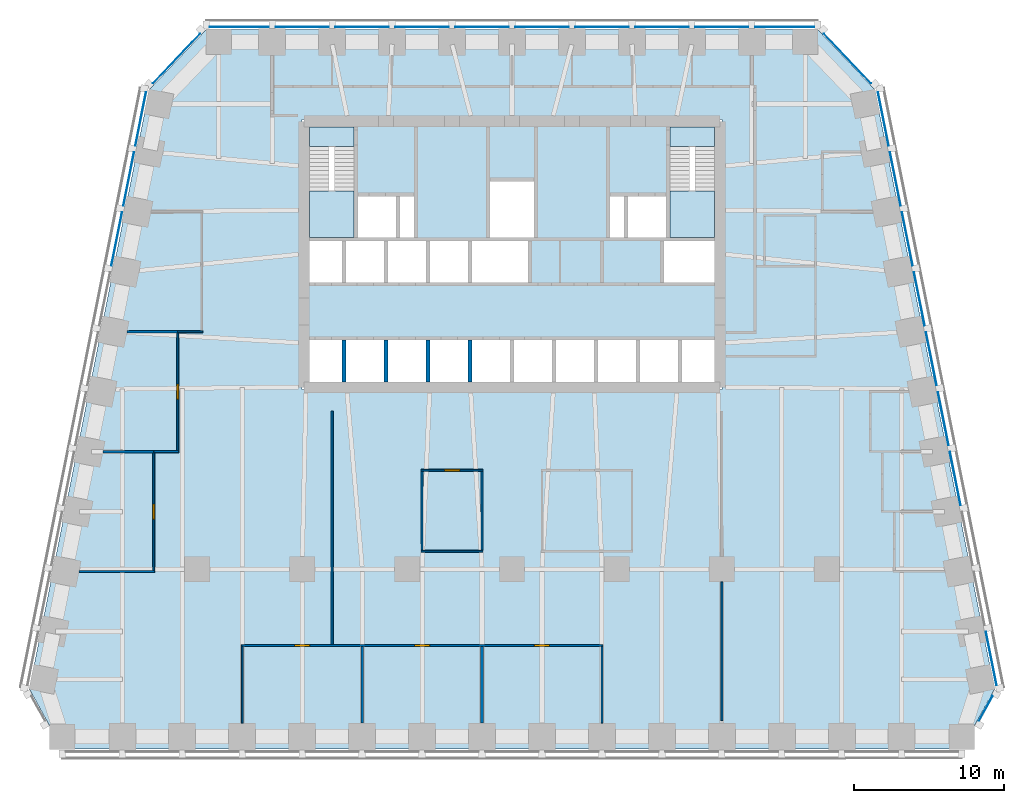
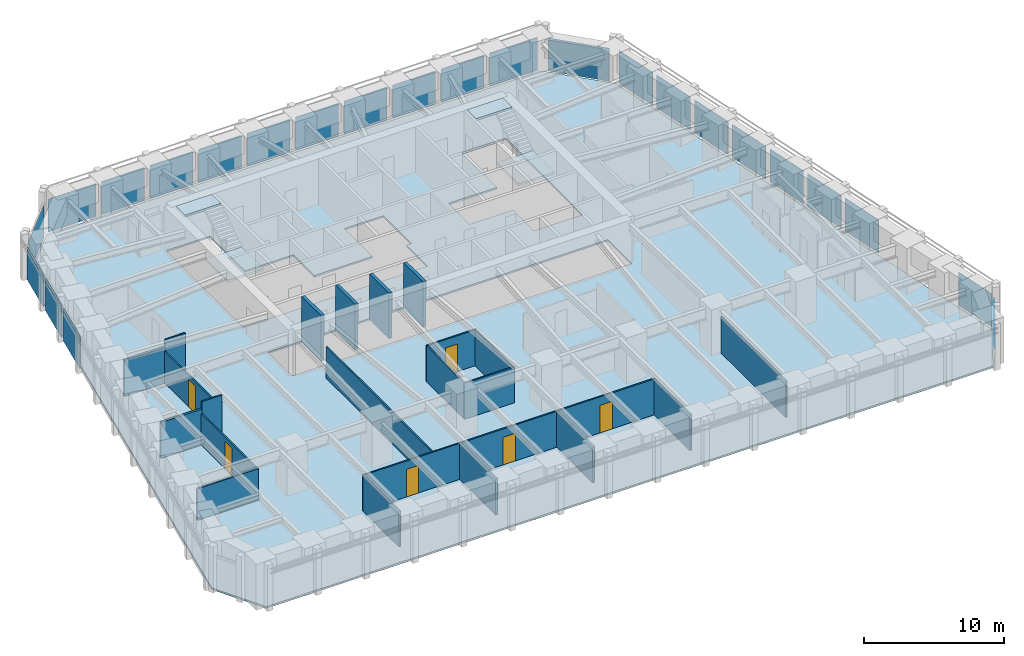
# One storey, part 5 of 10: 24 plates, 22 walls, 6 doors, 5 slabs, 6 openings, 8 elements without a shape of their own.
"""IFC4 building model written with IfcOpenShell, lengths in metres."""

from ifc_helpers import new_model, si_unit, direction, frame, frame_2d, origin, origin_2d, place, context, subcontext, project, spatial, polyline, rectangle, outline, extrude, material, layer, layer_set, type_object, element, fill, aggregate, save


model = new_model("IFC4")

# Units and contexts
model_context = context("Model", 3, precision=1e-05, world=origin(), true_north=direction((0.0, 1.0)))
body_context = subcontext(model_context, "Body", "Model", "MODEL_VIEW")
ifc_project = project(units=[si_unit("LENGTHUNIT", "METRE"), si_unit("AREAUNIT", "SQUARE_METRE"), si_unit("VOLUMEUNIT", "CUBIC_METRE"), si_unit("PLANEANGLEUNIT", "RADIAN"), si_unit("MASSUNIT", "GRAM", prefix="KILO")], contexts=[model_context])

# Site, building, storey
site_placement = place(None, origin())
site = spatial("IfcSite", under=ifc_project, at=site_placement, CompositionType="ELEMENT")
building_placement = place(site_placement, origin())
building = spatial("IfcBuilding", under=site, at=building_placement, Name="Isbrekke Arena Tower", CompositionType="ELEMENT")
storey_placement = place(building_placement, frame((0.0, 0.0, 163.0)))
storey = spatial("IfcBuildingStorey", under=building, at=storey_placement, Name="L37", CompositionType="ELEMENT", Elevation=163.0)

# Curtain wall, plate
ifc_material_1 = material(Name="Glazed aluminium curtain wall", Category="aluminium")
curtain_wall_type = type_object("IfcCurtainWallType", Name="CWM TOWER CURTAIN WALL MID ZONE", PredefinedType="USERDEFINED", material=ifc_material_1)
curtain_wall_1_placement = place(storey_placement, origin())
curtain_wall_1 = element("IfcCurtainWall", 1, at=curtain_wall_1_placement, inside=storey, type_object=curtain_wall_type, Name="CWM curtain wall L37-SE", ObjectType="TOWER CURTAIN WALL MID ZONE", PredefinedType="USERDEFINED")
ifc_material_2 = material(Name="Triple-glazed clear glass unit", Category="glass")
ifc_layer_1 = layer(ifc_material_2, 0.031982421875)
ifc_layer_set_1 = layer_set([ifc_layer_1], Name="CWM-P VISION PANEL")
plate_type = type_object("IfcPlateType", Name="CWM-P VISION PANEL", PredefinedType="CURTAIN_PANEL", material=ifc_layer_set_1)
plate_1_placement = place(storey_placement, frame((31.604248046875, -15.29052734375, 0.02001953125), z_axis=(0.0, 0.0, 1.0), x_axis=(0.481918749773, 0.876215908676, 0.0)))
plate_1 = element("IfcPlate", 2, at=plate_1_placement, type_object=plate_type, Name="CWM-P panel 1", PredefinedType="CURTAIN_PANEL", context=body_context, shape_type="SweptSolid", body=[
    extrude(rectangle(XDim=1.876220703125, YDim=0.031982421875, at=origin_2d()), origin(), (0.0, 0.0, 1.0), 2.8798828125),
])
aggregate(curtain_wall_1, [plate_1])

# Curtain wall, plates
curtain_wall_2_placement = place(storey_placement, origin())
curtain_wall_2 = element("IfcCurtainWall", 3, at=curtain_wall_2_placement, inside=storey, type_object=curtain_wall_type, Name="CWM curtain wall L37-E", ObjectType="TOWER CURTAIN WALL MID ZONE", PredefinedType="USERDEFINED")
plate_2_placement = place(storey_placement, frame((31.9716796875, -11.965576171875, 0.02001953125), z_axis=(0.0, 0.0, 1.0), x_axis=(-0.196116135138, 0.980580675691, 0.0)))
plate_2 = element("IfcPlate", 4, at=plate_2_placement, type_object=plate_type, Name="CWM-P panel 1", PredefinedType="CURTAIN_PANEL", context=body_context, shape_type="SweptSolid", body=[
    extrude(rectangle(XDim=3.629150390625, YDim=0.031982421875, at=origin_2d()), origin(), (0.0, 0.0, 1.0), 2.8798828125),
])
plate_3_placement = place(storey_placement, frame((29.571533203125, 0.034423828125, 0.02001953125), z_axis=(0.0, 0.0, 1.0), x_axis=(-0.196116135138, 0.980580675691, 0.0)))
plate_3 = element("IfcPlate", 5, at=plate_3_placement, type_object=plate_type, Name="CWM-P panel 4", PredefinedType="CURTAIN_PANEL", context=body_context, shape_type="SweptSolid", body=[
    extrude(rectangle(XDim=3.629150390625, YDim=0.031982421875, at=origin_2d()), origin(), (0.0, 0.0, 1.0), 2.8798828125),
])
plate_4_placement = place(storey_placement, frame((28.771484375, 4.034423828125, 0.02001953125), z_axis=(0.0, 0.0, 1.0), x_axis=(-0.196116135138, 0.980580675691, 0.0)))
plate_4 = element("IfcPlate", 6, at=plate_4_placement, type_object=plate_type, Name="CWM-P panel 5", PredefinedType="CURTAIN_PANEL", context=body_context, shape_type="SweptSolid", body=[
    extrude(rectangle(XDim=3.629150390625, YDim=0.031982421875, at=origin_2d()), origin(), (0.0, 0.0, 1.0), 2.8798828125),
])
plate_5_placement = place(storey_placement, frame((27.9716796875, 8.034423828125, 0.02001953125), z_axis=(0.0, 0.0, 1.0), x_axis=(-0.196116135138, 0.980580675691, 0.0)))
plate_5 = element("IfcPlate", 7, at=plate_5_placement, type_object=plate_type, Name="CWM-P panel 6", PredefinedType="CURTAIN_PANEL", context=body_context, shape_type="SweptSolid", body=[
    extrude(rectangle(XDim=3.629150390625, YDim=0.031982421875, at=origin_2d()), origin(), (0.0, 0.0, 1.0), 2.8798828125),
])
plate_6_placement = place(storey_placement, frame((27.171630859375, 12.034423828125, 0.02001953125), z_axis=(0.0, 0.0, 1.0), x_axis=(-0.196116135138, 0.980580675691, 0.0)))
plate_6 = element("IfcPlate", 8, at=plate_6_placement, type_object=plate_type, Name="CWM-P panel 7", PredefinedType="CURTAIN_PANEL", context=body_context, shape_type="SweptSolid", body=[
    extrude(rectangle(XDim=3.629150390625, YDim=0.031982421875, at=origin_2d()), origin(), (0.0, 0.0, 1.0), 2.8798828125),
])
plate_7_placement = place(storey_placement, frame((26.37158203125, 16.034423828125, 0.02001953125), z_axis=(0.0, 0.0, 1.0), x_axis=(-0.196116135138, 0.980580675691, 0.0)))
plate_7 = element("IfcPlate", 9, at=plate_7_placement, type_object=plate_type, Name="CWM-P panel 8", PredefinedType="CURTAIN_PANEL", context=body_context, shape_type="SweptSolid", body=[
    extrude(rectangle(XDim=3.629150390625, YDim=0.031982421875, at=origin_2d()), origin(), (0.0, 0.0, 1.0), 2.8798828125),
])
plate_8_placement = place(storey_placement, frame((25.571533203125, 20.034423828125, 0.02001953125), z_axis=(0.0, 0.0, 1.0), x_axis=(-0.196116135138, 0.980580675691, 0.0)))
plate_8 = element("IfcPlate", 10, at=plate_8_placement, type_object=plate_type, Name="CWM-P panel 9", PredefinedType="CURTAIN_PANEL", context=body_context, shape_type="SweptSolid", body=[
    extrude(rectangle(XDim=3.629150390625, YDim=0.031982421875, at=origin_2d()), origin(), (0.0, 0.0, 1.0), 2.8798828125),
])
plate_9_placement = place(storey_placement, frame((24.771484375, 24.034423828125, 0.02001953125), z_axis=(0.0, 0.0, 1.0), x_axis=(-0.196116135138, 0.980580675691, 0.0)))
plate_9 = element("IfcPlate", 11, at=plate_9_placement, type_object=plate_type, Name="CWM-P panel 10", PredefinedType="CURTAIN_PANEL", context=body_context, shape_type="SweptSolid", body=[
    extrude(rectangle(XDim=3.629150390625, YDim=0.031982421875, at=origin_2d()), origin(), (0.0, 0.0, 1.0), 2.8798828125),
])
aggregate(curtain_wall_2, [plate_2, plate_3, plate_4, plate_5, plate_6, plate_7, plate_8, plate_9])

# Curtain wall, plate
curtain_wall_3_placement = place(storey_placement, origin())
curtain_wall_3 = element("IfcCurtainWall", 12, at=curtain_wall_3_placement, inside=storey, type_object=curtain_wall_type, Name="CWM curtain wall L37-EN", ObjectType="TOWER CURTAIN WALL MID ZONE", PredefinedType="USERDEFINED")
plate_10_placement = place(storey_placement, frame((22.374755859375, 28.06640625, 0.02001953125), z_axis=(0.0, 0.0, 1.0), x_axis=(-0.68874946192, 0.72499943359, 0.0)))
plate_10 = element("IfcPlate", 13, at=plate_10_placement, type_object=plate_type, Name="CWM-P panel 1", PredefinedType="CURTAIN_PANEL", context=body_context, shape_type="SweptSolid", body=[
    extrude(rectangle(XDim=4.558349609375, YDim=0.031982421875, at=origin_2d()), origin(), (0.0, 0.0, 1.0), 2.8798828125),
])
aggregate(curtain_wall_3, [plate_10])

# Curtain wall, plates
curtain_wall_4_placement = place(storey_placement, origin())
curtain_wall_4 = element("IfcCurtainWall", 14, at=curtain_wall_4_placement, inside=storey, type_object=curtain_wall_type, Name="CWM curtain wall L37-N", ObjectType="TOWER CURTAIN WALL MID ZONE", PredefinedType="USERDEFINED")
plate_11_placement = place(storey_placement, frame((18.199951171875, 30.175048828125, 0.02001953125), z_axis=(0.0, 0.0, 1.0), x_axis=(-1.0, 0.0, 0.0)))
plate_11 = element("IfcPlate", 15, at=plate_11_placement, type_object=plate_type, Name="CWM-P panel 1", PredefinedType="CURTAIN_PANEL", context=body_context, shape_type="SweptSolid", body=[
    extrude(rectangle(XDim=3.949951171875, YDim=0.031982421875, at=origin_2d()), origin(), (0.0, 0.0, 1.0), 2.8798828125),
])
plate_12_placement = place(storey_placement, frame((14.0, 30.175048828125, 0.02001953125), z_axis=(0.0, 0.0, 1.0), x_axis=(-1.0, 0.0, 0.0)))
plate_12 = element("IfcPlate", 16, at=plate_12_placement, type_object=plate_type, Name="CWM-P panel 2", PredefinedType="CURTAIN_PANEL", context=body_context, shape_type="SweptSolid", body=[
    extrude(rectangle(XDim=3.550048828125, YDim=0.031982421875, at=origin_2d()), origin(), (0.0, 0.0, 1.0), 2.8798828125),
])
plate_13_placement = place(storey_placement, frame((10.0, 30.175048828125, 0.02001953125), z_axis=(0.0, 0.0, 1.0), x_axis=(-1.0, 0.0, 0.0)))
plate_13 = element("IfcPlate", 17, at=plate_13_placement, type_object=plate_type, Name="CWM-P panel 3", PredefinedType="CURTAIN_PANEL", context=body_context, shape_type="SweptSolid", body=[
    extrude(rectangle(XDim=3.550048828125, YDim=0.031982421875, at=origin_2d()), origin(), (0.0, 0.0, 1.0), 2.8798828125),
])
plate_14_placement = place(storey_placement, frame((6.0, 30.175048828125, 0.02001953125), z_axis=(0.0, 0.0, 1.0), x_axis=(-1.0, 0.0, 0.0)))
plate_14 = element("IfcPlate", 18, at=plate_14_placement, type_object=plate_type, Name="CWM-P panel 4", PredefinedType="CURTAIN_PANEL", context=body_context, shape_type="SweptSolid", body=[
    extrude(rectangle(XDim=3.550048828125, YDim=0.031982421875, at=origin_2d()), origin(), (0.0, 0.0, 1.0), 2.8798828125),
])
plate_15_placement = place(storey_placement, frame((2.0, 30.175048828125, 0.02001953125), z_axis=(0.0, 0.0, 1.0), x_axis=(-1.0, 0.0, 0.0)))
plate_15 = element("IfcPlate", 19, at=plate_15_placement, type_object=plate_type, Name="CWM-P panel 5", PredefinedType="CURTAIN_PANEL", context=body_context, shape_type="SweptSolid", body=[
    extrude(rectangle(XDim=3.550048828125, YDim=0.031982421875, at=origin_2d()), origin(), (0.0, 0.0, 1.0), 2.8798828125),
])
plate_16_placement = place(storey_placement, frame((-2.0, 30.175048828125, 0.02001953125), z_axis=(0.0, 0.0, 1.0), x_axis=(-1.0, 0.0, 0.0)))
plate_16 = element("IfcPlate", 20, at=plate_16_placement, type_object=plate_type, Name="CWM-P panel 6", PredefinedType="CURTAIN_PANEL", context=body_context, shape_type="SweptSolid", body=[
    extrude(rectangle(XDim=3.550048828125, YDim=0.031982421875, at=origin_2d()), origin(), (0.0, 0.0, 1.0), 2.8798828125),
])
plate_17_placement = place(storey_placement, frame((-6.0, 30.175048828125, 0.02001953125), z_axis=(0.0, 0.0, 1.0), x_axis=(-1.0, 0.0, 0.0)))
plate_17 = element("IfcPlate", 21, at=plate_17_placement, type_object=plate_type, Name="CWM-P panel 7", PredefinedType="CURTAIN_PANEL", context=body_context, shape_type="SweptSolid", body=[
    extrude(rectangle(XDim=3.550048828125, YDim=0.031982421875, at=origin_2d()), origin(), (0.0, 0.0, 1.0), 2.8798828125),
])
plate_18_placement = place(storey_placement, frame((-10.0, 30.175048828125, 0.02001953125), z_axis=(0.0, 0.0, 1.0), x_axis=(-1.0, 0.0, 0.0)))
plate_18 = element("IfcPlate", 22, at=plate_18_placement, type_object=plate_type, Name="CWM-P panel 8", PredefinedType="CURTAIN_PANEL", context=body_context, shape_type="SweptSolid", body=[
    extrude(rectangle(XDim=3.550048828125, YDim=0.031982421875, at=origin_2d()), origin(), (0.0, 0.0, 1.0), 2.8798828125),
])
plate_19_placement = place(storey_placement, frame((-14.0, 30.175048828125, 0.02001953125), z_axis=(0.0, 0.0, 1.0), x_axis=(-1.0, 0.0, 0.0)))
plate_19 = element("IfcPlate", 23, at=plate_19_placement, type_object=plate_type, Name="CWM-P panel 9", PredefinedType="CURTAIN_PANEL", context=body_context, shape_type="SweptSolid", body=[
    extrude(rectangle(XDim=3.550048828125, YDim=0.031982421875, at=origin_2d()), origin(), (0.0, 0.0, 1.0), 2.8798828125),
])
plate_20_placement = place(storey_placement, frame((-18.199951171875, 30.175048828125, 0.02001953125), z_axis=(0.0, 0.0, 1.0), x_axis=(-1.0, 0.0, 0.0)))
plate_20 = element("IfcPlate", 24, at=plate_20_placement, type_object=plate_type, Name="CWM-P panel 10", PredefinedType="CURTAIN_PANEL", context=body_context, shape_type="SweptSolid", body=[
    extrude(rectangle(XDim=3.949951171875, YDim=0.031982421875, at=origin_2d()), origin(), (0.0, 0.0, 1.0), 2.8798828125),
])
aggregate(curtain_wall_4, [plate_11, plate_12, plate_13, plate_14, plate_15, plate_16, plate_17, plate_18, plate_19, plate_20])

# Curtain wall, plate
curtain_wall_5_placement = place(storey_placement, origin())
curtain_wall_5 = element("IfcCurtainWall", 25, at=curtain_wall_5_placement, inside=storey, type_object=curtain_wall_type, Name="CWM curtain wall L37-NW", ObjectType="TOWER CURTAIN WALL MID ZONE", PredefinedType="USERDEFINED")
plate_21_placement = place(storey_placement, frame((-22.37451171875, 28.066650390625, 0.02001953125), z_axis=(0.0, 0.0, 1.0), x_axis=(-0.68874946192, -0.72499943359, 0.0)))
plate_21 = element("IfcPlate", 26, at=plate_21_placement, type_object=plate_type, Name="CWM-P panel 1", PredefinedType="CURTAIN_PANEL", context=body_context, shape_type="SweptSolid", body=[
    extrude(rectangle(XDim=4.557373046875, YDim=0.031982421875, at=origin_2d()), origin(), (0.0, 0.0, 1.0), 2.8798828125),
])
aggregate(curtain_wall_5, [plate_21])

# Curtain wall, plates
curtain_wall_6_placement = place(storey_placement, origin())
curtain_wall_6 = element("IfcCurtainWall", 27, at=curtain_wall_6_placement, inside=storey, type_object=curtain_wall_type, Name="CWM curtain wall L37-W", ObjectType="TOWER CURTAIN WALL MID ZONE", PredefinedType="USERDEFINED")
plate_22_placement = place(storey_placement, frame((-24.771484375, 24.034423828125, 0.02001953125), z_axis=(0.0, 0.0, 1.0), x_axis=(-0.196116135138, -0.980580675691, 0.0)))
plate_22 = element("IfcPlate", 28, at=plate_22_placement, type_object=plate_type, Name="CWM-P panel 1", PredefinedType="CURTAIN_PANEL", context=body_context, shape_type="SweptSolid", body=[
    extrude(rectangle(XDim=3.629150390625, YDim=0.031982421875, at=origin_2d()), origin(), (0.0, 0.0, 1.0), 2.8798828125),
])
plate_23_placement = place(storey_placement, frame((-25.571533203125, 20.034423828125, 0.02001953125), z_axis=(0.0, 0.0, 1.0), x_axis=(-0.196116135138, -0.980580675691, 0.0)))
plate_23 = element("IfcPlate", 29, at=plate_23_placement, type_object=plate_type, Name="CWM-P panel 2", PredefinedType="CURTAIN_PANEL", context=body_context, shape_type="SweptSolid", body=[
    extrude(rectangle(XDim=3.629150390625, YDim=0.031982421875, at=origin_2d()), origin(), (0.0, 0.0, 1.0), 2.8798828125),
])
plate_24_placement = place(storey_placement, frame((-26.37158203125, 16.034423828125, 0.02001953125), z_axis=(0.0, 0.0, 1.0), x_axis=(-0.196116135138, -0.980580675691, 0.0)))
plate_24 = element("IfcPlate", 30, at=plate_24_placement, type_object=plate_type, Name="CWM-P panel 3", PredefinedType="CURTAIN_PANEL", context=body_context, shape_type="SweptSolid", body=[
    extrude(rectangle(XDim=3.629150390625, YDim=0.031982421875, at=origin_2d()), origin(), (0.0, 0.0, 1.0), 2.8798828125),
])
aggregate(curtain_wall_6, [plate_22, plate_23, plate_24])

# Slab
ifc_material_3 = material(Name="Concrete B35 (C35/45)", Category="concrete")
ifc_layer_2 = layer(ifc_material_3, 0.14990234375)
ifc_layer_set_2 = layer_set([ifc_layer_2], Name="FS1 COMPOSITE FLOOR 150")
slab_type_1 = type_object("IfcSlabType", Name="FS1 COMPOSITE FLOOR 150", PredefinedType="FLOOR", material=ifc_layer_set_2)
slab_1_placement = place(storey_placement, frame((0.0, 0.0, -0.14990234375)))
element("IfcSlab", 31, at=slab_1_placement, inside=storey, type_object=slab_type_1, Name="FS1 floor slab L37", PredefinedType="FLOOR", context=body_context, shape_type="SweptSolid", body=[
    extrude(outline(polyline([(-30.0, -18.0), (30.0, -18.0), (32.199951171875, -14.0), (24.199951171875, 26.0), (20.39990234375, 30.0), (-20.39990234375, 30.0), (-24.199951171875, 26.0), (-32.199951171875, -14.0), (-30.0, -18.0)]), holes=[polyline([(14.0, 9.39990234375), (14.0, 6.0), (-14.0, 6.0), (-14.0, 9.39990234375), (14.0, 9.39990234375)]), polyline([(-6.39990234375, 19.0), (-6.39990234375, 16.0), (-1.60009765625, 16.0), (-1.60009765625, 20.0), (1.60009765625, 20.0), (1.60009765625, 16.0), (1.199951171875, 16.0), (1.199951171875, 13.0), (-14.0, 13.0), (-14.0, 24.0), (-10.39990234375, 24.0), (-10.39990234375, 19.0), (-6.39990234375, 19.0)]), polyline([(10.0, 13.0), (10.0, 16.0), (6.39990234375, 16.0), (6.39990234375, 19.0), (10.39990234375, 19.0), (10.39990234375, 24.0), (14.0, 24.0), (14.0, 13.0), (10.0, 13.0)])]), origin(), (0.0, 0.0, 1.0), 0.14990234375),
])

# Stair, slabs
ifc_material_4 = material(Name="Concrete B45 (C45/55) precast", Category="concrete")
stair_type = type_object("IfcStairType", Name="ST40 STAIR 1300 WIDE, 24 RISERS 167", PredefinedType="HALF_TURN_STAIR", material=ifc_material_4)
stair_1_placement = place(storey_placement, origin())
stair_1 = element("IfcStair", 32, at=stair_1_placement, inside=storey, type_object=stair_type, Name="ST1 stair L37", PredefinedType="HALF_TURN_STAIR")
ifc_material_5 = material(Name="Concrete B35 (C35/45)", Category="concrete")
ifc_layer_3 = layer(ifc_material_5, 0.199951171875)
ifc_layer_set_3 = layer_set([ifc_layer_3], Name="SL1 STAIR LANDING 200")
slab_type_2 = type_object("IfcSlabType", Name="SL1 STAIR LANDING 200", PredefinedType="LANDING", material=ifc_layer_set_3)
slab_2_placement = place(storey_placement, frame((0.0, 0.0, 1.800048828125)))
slab_2 = element("IfcSlab", 33, at=slab_2_placement, type_object=slab_type_2, Name="ST1 landing 1", PredefinedType="LANDING", context=body_context, shape_type="SweptSolid", body=[
    extrude(outline(polyline([(-13.5, 16.125), (-10.52490234375, 16.125), (-10.52490234375, 19.22998046875), (-13.5, 19.22998046875), (-13.5, 16.125)])), origin(), (0.0, 0.0, 1.0), 0.199951171875),
])
slab_3_placement = place(storey_placement, frame((0.0, 0.0, 3.800048828125)))
slab_3 = element("IfcSlab", 34, at=slab_3_placement, type_object=slab_type_2, Name="ST1 landing 2", PredefinedType="LANDING", context=body_context, shape_type="SweptSolid", body=[
    extrude(outline(polyline([(-13.5, 22.199951171875), (-10.52490234375, 22.199951171875), (-10.52490234375, 23.5), (-13.5, 23.5), (-13.5, 22.199951171875)])), origin(), (0.0, 0.0, 1.0), 0.199951171875),
])
aggregate(stair_1, [slab_2, slab_3])

stair_2_placement = place(storey_placement, origin())
stair_2 = element("IfcStair", 35, at=stair_2_placement, inside=storey, type_object=stair_type, Name="ST2 stair L37", PredefinedType="HALF_TURN_STAIR")
slab_4_placement = place(storey_placement, frame((0.0, 0.0, 1.800048828125)))
slab_4 = element("IfcSlab", 36, at=slab_4_placement, type_object=slab_type_2, Name="ST2 landing 1", PredefinedType="LANDING", context=body_context, shape_type="SweptSolid", body=[
    extrude(outline(polyline([(10.52490234375, 16.125), (13.5, 16.125), (13.5, 19.22998046875), (10.52490234375, 19.22998046875), (10.52490234375, 16.125)])), origin(), (0.0, 0.0, 1.0), 0.199951171875),
])
slab_5_placement = place(storey_placement, frame((0.0, 0.0, 3.800048828125)))
slab_5 = element("IfcSlab", 37, at=slab_5_placement, type_object=slab_type_2, Name="ST2 landing 2", PredefinedType="LANDING", context=body_context, shape_type="SweptSolid", body=[
    extrude(outline(polyline([(10.52490234375, 22.199951171875), (13.5, 22.199951171875), (13.5, 23.5), (10.52490234375, 23.5), (10.52490234375, 22.199951171875)])), origin(), (0.0, 0.0, 1.0), 0.199951171875),
])
aggregate(stair_2, [slab_4, slab_5])

# Walls
ifc_material_6 = material(Name="Concrete B45 (C45/55)", Category="concrete")
ifc_layer_4 = layer(ifc_material_6, 0.25)
ifc_layer_set_4 = layer_set([ifc_layer_4], Name="CW6 SHAFT WALL 250")
wall_type_1 = type_object("IfcWallType", Name="CW6 SHAFT WALL 250", PredefinedType="SHEAR", material=ifc_layer_set_4)
for number, where, z_axis, x_axis, name in (
    (38, (-11.199951171875, 6.5, 0.0), (0.0, 0.0, 1.0), (0.0, 1.0, 0.0), "Core wall SS01 L37"),
    (39, (-8.39990234375, 6.5, 0.0), (0.0, 0.0, 1.0), (0.0, 1.0, 0.0), "Core wall SS02 L37"),
    (40, (-5.60009765625, 6.5, 0.0), (0.0, 0.0, 1.0), (0.0, 1.0, 0.0), "Core wall SS03 L37"),
    (41, (-2.800048828125, 6.5, 0.0), (0.0, 0.0, 1.0), (0.0, 1.0, 0.0), "Core wall SS04 L37"),
):
    element("IfcWall", number, at=place(storey_placement, frame(where, z_axis=z_axis, x_axis=x_axis)), inside=storey, type_object=wall_type_1, Name=name, PredefinedType="SHEAR", context=body_context, shape_type="SweptSolid", body=[
        extrude(rectangle(XDim=2.77490234375, YDim=0.25, at=frame_2d((1.387451171875, 0.0))), origin(), (0.0, 0.0, 1.0), 4.0),
    ])

# Wall, openings, doors
ifc_material_7 = material(Name="Frameless glazed partition, laminated acoustic glass", Category="glass")
ifc_layer_5 = layer(ifc_material_7, 0.1201171875)
ifc_layer_set_5 = layer_set([ifc_layer_5], Name="IW2 GLAZED PARTITION 120")
wall_type_2 = type_object("IfcWallType", Name="IW2 GLAZED PARTITION 120", PredefinedType="PARTITIONING", material=ifc_layer_set_5)
wall_1_placement = place(storey_placement, frame((-18.06005859375, -11.10009765625, 0.0), z_axis=(0.0, 0.0, 1.0), x_axis=(1.0, 0.0, 0.0)))
wall_1 = element("IfcWall", 42, at=wall_1_placement, inside=storey, type_object=wall_type_2, Name="IW2 glazed partition 120 L37", PredefinedType="PARTITIONING", context=body_context, shape_type="SweptSolid", body=[
    extrude(rectangle(XDim=24.1201171875, YDim=0.1201171875, at=frame_2d((12.06005859375, 0.0))), origin(), (0.0, 0.0, 1.0), 3.1298828125),
])
opening_1_placement = place(wall_1_placement, frame((3.56005859375, 0.0, 0.0)))
opening_1 = element("IfcOpeningElement", 43, at=opening_1_placement, cuts=wall_1, Name="Opening D11", PredefinedType="OPENING", context=body_context, shape_type="SweptSolid", body=[
    extrude(rectangle(XDim=1.0, YDim=2.39990234375, at=frame_2d((0.5, 1.199951171875))), frame((0.0, 0.074951171875, 0.0), z_axis=(0.0, -1.0, 0.0), x_axis=(1.0, 0.0, 0.0)), (0.0, 0.0, 1.0), 0.14990234375),
])
opening_2_placement = place(wall_1_placement, frame((11.56005859375, 0.0, 0.0)))
opening_2 = element("IfcOpeningElement", 44, at=opening_2_placement, cuts=wall_1, Name="Opening D11", PredefinedType="OPENING", context=body_context, shape_type="SweptSolid", body=[
    extrude(rectangle(XDim=1.0, YDim=2.39990234375, at=frame_2d((0.5, 1.199951171875))), frame((0.0, 0.074951171875, 0.0), z_axis=(0.0, -1.0, 0.0), x_axis=(1.0, 0.0, 0.0)), (0.0, 0.0, 1.0), 0.14990234375),
])
opening_3_placement = place(wall_1_placement, frame((19.56005859375, 0.0, 0.0)))
opening_3 = element("IfcOpeningElement", 45, at=opening_3_placement, cuts=wall_1, Name="Opening D11", PredefinedType="OPENING", context=body_context, shape_type="SweptSolid", body=[
    extrude(rectangle(XDim=1.0, YDim=2.39990234375, at=frame_2d((0.5, 1.199951171875))), frame((0.0, 0.074951171875, 0.0), z_axis=(0.0, -1.0, 0.0), x_axis=(1.0, 0.0, 0.0)), (0.0, 0.0, 1.0), 0.14990234375),
])
ifc_material_8 = material(Name="Frameless glazed door", Category="glass")
door_type = type_object("IfcDoorType", Name="D11 GLAZED MEETING ROOM DOOR 1000 x 2400", OperationType="SINGLE_SWING_RIGHT", PredefinedType="DOOR", material=ifc_material_8)
door_1_placement = place(opening_1_placement, origin())
door_1 = element("IfcDoor", 46, at=door_1_placement, inside=storey, type_object=door_type, Name="D11 client meeting room door L37", OperationType="SINGLE_SWING_RIGHT", OverallHeight=2.39990234375, OverallWidth=1.0, PredefinedType="DOOR", context=body_context, shape_type="SweptSolid", body=[
    extrude(rectangle(XDim=1.0, YDim=2.39990234375, at=frame_2d((0.5, 1.199951171875))), frame((0.0, 0.059814453125, 0.0), z_axis=(0.0, -1.0, 0.0), x_axis=(1.0, 0.0, 0.0)), (0.0, 0.0, 1.0), 0.11962890625),
])
fill(opening_1, door_1)
door_2_placement = place(opening_2_placement, origin())
door_2 = element("IfcDoor", 47, at=door_2_placement, inside=storey, type_object=door_type, Name="D11 client meeting room door L37", OperationType="SINGLE_SWING_RIGHT", OverallHeight=2.39990234375, OverallWidth=1.0, PredefinedType="DOOR", context=body_context, shape_type="SweptSolid", body=[
    extrude(rectangle(XDim=1.0, YDim=2.39990234375, at=frame_2d((0.5, 1.199951171875))), frame((0.0, 0.059814453125, 0.0), z_axis=(0.0, -1.0, 0.0), x_axis=(1.0, 0.0, 0.0)), (0.0, 0.0, 1.0), 0.11962890625),
])
fill(opening_2, door_2)
door_3_placement = place(opening_3_placement, origin())
door_3 = element("IfcDoor", 48, at=door_3_placement, inside=storey, type_object=door_type, Name="D11 client meeting room door L37", OperationType="SINGLE_SWING_RIGHT", OverallHeight=2.39990234375, OverallWidth=1.0, PredefinedType="DOOR", context=body_context, shape_type="SweptSolid", body=[
    extrude(rectangle(XDim=1.0, YDim=2.39990234375, at=frame_2d((0.5, 1.199951171875))), frame((0.0, 0.059814453125, 0.0), z_axis=(0.0, -1.0, 0.0), x_axis=(1.0, 0.0, 0.0)), (0.0, 0.0, 1.0), 0.11962890625),
])
fill(opening_3, door_3)

# Walls
wall_2_placement = place(storey_placement, frame((-28.872802734375, -6.159912109375, 0.0), z_axis=(0.0, 0.0, 1.0), x_axis=(1.0, 0.0, 0.0)))
element("IfcWall", 49, at=wall_2_placement, inside=storey, type_object=wall_type_2, Name="IW2 glazed partition 120 L37", PredefinedType="PARTITIONING", context=body_context, shape_type="SweptSolid", body=[
    extrude(rectangle(XDim=5.03271484375, YDim=0.1201171875, at=frame_2d((2.516357421875, 0.0))), origin(), (0.0, 0.0, 1.0), 2.741943359375),
])
wall_3_placement = place(storey_placement, frame((-6.06005859375, -4.800048828125, 0.0), z_axis=(0.0, 0.0, 1.0), x_axis=(1.0, 0.0, 0.0)))
element("IfcWall", 50, at=wall_3_placement, inside=storey, type_object=wall_type_2, Name="IW2 glazed partition 120 L37", PredefinedType="PARTITIONING", context=body_context, shape_type="SweptSolid", body=[
    extrude(rectangle(XDim=4.1201171875, YDim=0.1201171875, at=frame_2d((2.06005859375, 0.0))), origin(), (0.0, 0.0, 1.0), 3.1298828125),
])

# Wall, opening, door
wall_4_placement = place(storey_placement, frame((-6.06005859375, 0.60009765625, 0.0), z_axis=(0.0, 0.0, 1.0), x_axis=(1.0, 0.0, 0.0)))
wall_4 = element("IfcWall", 51, at=wall_4_placement, inside=storey, type_object=wall_type_2, Name="IW2 glazed partition 120 L37", PredefinedType="PARTITIONING", context=body_context, shape_type="SweptSolid", body=[
    extrude(rectangle(XDim=4.1201171875, YDim=0.1201171875, at=frame_2d((2.06005859375, 0.0))), origin(), (0.0, 0.0, 1.0), 3.1298828125),
])
opening_4_placement = place(wall_4_placement, frame((1.56005859375, 0.0, 0.0)))
opening_4 = element("IfcOpeningElement", 52, at=opening_4_placement, cuts=wall_4, Name="Opening D11", PredefinedType="OPENING", context=body_context, shape_type="SweptSolid", body=[
    extrude(rectangle(XDim=1.0, YDim=2.39990234375, at=frame_2d((0.5, 1.199951171875))), frame((0.0, 0.074951171875, 0.0), z_axis=(0.0, -1.0, 0.0), x_axis=(1.0, 0.0, 0.0)), (0.0, 0.0, 1.0), 0.14990234375),
])
door_4_placement = place(opening_4_placement, origin())
door_4 = element("IfcDoor", 53, at=door_4_placement, inside=storey, type_object=door_type, Name="D11 quiet room door L37", OperationType="SINGLE_SWING_RIGHT", OverallHeight=2.39990234375, OverallWidth=1.0, PredefinedType="DOOR", context=body_context, shape_type="SweptSolid", body=[
    extrude(rectangle(XDim=1.0, YDim=2.39990234375, at=frame_2d((0.5, 1.199951171875))), frame((0.0, 0.059814453125, 0.0), z_axis=(0.0, -1.0, 0.0), x_axis=(1.0, 0.0, 0.0)), (0.0, 0.0, 1.0), 0.11962890625),
])
fill(opening_4, door_4)

# Walls
wall_5_placement = place(storey_placement, frame((-23.89990234375, 1.840087890625, 0.0), z_axis=(0.0, 0.0, 1.0), x_axis=(1.0, 0.0, 0.0)))
element("IfcWall", 54, at=wall_5_placement, inside=storey, type_object=wall_type_2, Name="IW2 glazed partition 120 L37", PredefinedType="PARTITIONING", context=body_context, shape_type="SweptSolid", body=[
    extrude(rectangle(XDim=1.659912109375, YDim=0.1201171875, at=frame_2d((0.830078125, 0.0))), origin(), (0.0, 0.0, 1.0), 3.75),
])
wall_6_placement = place(storey_placement, frame((-22.300048828125, 9.840087890625, 0.0), z_axis=(0.0, 0.0, 1.0), x_axis=(1.0, 0.0, 0.0)))
element("IfcWall", 55, at=wall_6_placement, inside=storey, type_object=wall_type_2, Name="IW2 glazed partition 120 L37", PredefinedType="PARTITIONING", context=body_context, shape_type="SweptSolid", body=[
    extrude(rectangle(XDim=1.66015625, YDim=0.1201171875, at=frame_2d((0.830078125, 0.0))), origin(), (0.0, 0.0, 1.0), 3.75),
])

# Wall, opening, door
wall_7_placement = place(storey_placement, frame((-23.89990234375, -6.10009765625, 0.0), z_axis=(0.0, 0.0, 1.0), x_axis=(0.0, 1.0, 0.0)))
wall_7 = element("IfcWall", 56, at=wall_7_placement, inside=storey, type_object=wall_type_2, Name="IW2 glazed partition 120 L37", PredefinedType="PARTITIONING", context=body_context, shape_type="SweptSolid", body=[
    extrude(rectangle(XDim=7.8525390625, YDim=0.1201171875, at=frame_2d((3.92626953125, 0.0))), origin(), (0.0, 0.0, 1.0), 2.741943359375),
])
opening_5_placement = place(wall_7_placement, frame((3.43994140625, 0.0, 0.0)))
opening_5 = element("IfcOpeningElement", 57, at=opening_5_placement, cuts=wall_7, Name="Opening D11", PredefinedType="OPENING", context=body_context, shape_type="SweptSolid", body=[
    extrude(rectangle(XDim=1.0, YDim=2.39990234375, at=frame_2d((0.5, 1.199951171875))), frame((0.0, 0.074951171875, 0.0), z_axis=(0.0, -1.0, 0.0), x_axis=(1.0, 0.0, 0.0)), (0.0, 0.0, 1.0), 0.14990234375),
])
door_5_placement = place(opening_5_placement, origin())
door_5 = element("IfcDoor", 58, at=door_5_placement, inside=storey, type_object=door_type, Name="D11 client meeting room door L37", OperationType="SINGLE_SWING_RIGHT", OverallHeight=2.39990234375, OverallWidth=1.0, PredefinedType="DOOR", context=body_context, shape_type="SweptSolid", body=[
    extrude(rectangle(XDim=1.0, YDim=2.39990234375, at=frame_2d((0.5, 1.199951171875))), frame((0.0, 0.059814453125, 0.0), z_axis=(0.0, -1.0, 0.0), x_axis=(1.0, 0.0, 0.0)), (0.0, 0.0, 1.0), 0.11962890625),
])
fill(opening_5, door_5)

wall_8_placement = place(storey_placement, frame((-22.300048828125, 1.89990234375, 0.0), z_axis=(0.0, 0.0, 1.0), x_axis=(0.0, 1.0, 0.0)))
wall_8 = element("IfcWall", 59, at=wall_8_placement, inside=storey, type_object=wall_type_2, Name="IW2 glazed partition 120 L37", PredefinedType="PARTITIONING", context=body_context, shape_type="SweptSolid", body=[
    extrude(rectangle(XDim=7.8525390625, YDim=0.1201171875, at=frame_2d((3.92626953125, 0.0))), origin(), (0.0, 0.0, 1.0), 2.741943359375),
])
opening_6_placement = place(wall_8_placement, frame((3.43994140625, 0.0, 0.0)))
opening_6 = element("IfcOpeningElement", 60, at=opening_6_placement, cuts=wall_8, Name="Opening D11", PredefinedType="OPENING", context=body_context, shape_type="SweptSolid", body=[
    extrude(rectangle(XDim=1.0, YDim=2.39990234375, at=frame_2d((0.5, 1.199951171875))), frame((0.0, 0.074951171875, 0.0), z_axis=(0.0, -1.0, 0.0), x_axis=(1.0, 0.0, 0.0)), (0.0, 0.0, 1.0), 0.14990234375),
])
door_6_placement = place(opening_6_placement, origin())
door_6 = element("IfcDoor", 61, at=door_6_placement, inside=storey, type_object=door_type, Name="D11 client meeting room door L37", OperationType="SINGLE_SWING_RIGHT", OverallHeight=2.39990234375, OverallWidth=1.0, PredefinedType="DOOR", context=body_context, shape_type="SweptSolid", body=[
    extrude(rectangle(XDim=1.0, YDim=2.39990234375, at=frame_2d((0.5, 1.199951171875))), frame((0.0, 0.059814453125, 0.0), z_axis=(0.0, -1.0, 0.0), x_axis=(1.0, 0.0, 0.0)), (0.0, 0.0, 1.0), 0.11962890625),
])
fill(opening_6, door_6)

# Walls
wall_9_placement = place(storey_placement, frame((-18.0, -16.27490234375, 0.0), z_axis=(0.0, 0.0, 1.0), x_axis=(0.0, 1.0, 0.0)))
element("IfcWall", 62, at=wall_9_placement, inside=storey, type_object=wall_type_2, Name="IW2 glazed partition 120 L37", PredefinedType="PARTITIONING", context=body_context, shape_type="SweptSolid", body=[
    extrude(rectangle(XDim=5.114990234375, YDim=0.1201171875, at=frame_2d((2.5576171875, 0.0))), origin(), (0.0, 0.0, 1.0), 3.1298828125),
])
for number, where, z_axis, x_axis, name in (
    (63, (-6.0, -4.739990234375, 0.0), (0.0, 0.0, 1.0), (0.0, 1.0, 0.0), "IW2 glazed partition 120 L37"),
    (64, (-2.0, -4.739990234375, 0.0), (0.0, 0.0, 1.0), (0.0, 1.0, 0.0), "IW2 glazed partition 120 L37"),
):
    element("IfcWall", number, at=place(storey_placement, frame(where, z_axis=z_axis, x_axis=x_axis)), inside=storey, type_object=wall_type_2, Name=name, PredefinedType="PARTITIONING", context=body_context, shape_type="SweptSolid", body=[
        extrude(rectangle(XDim=5.280029296875, YDim=0.1201171875, at=frame_2d((2.64013671875, 0.0))), origin(), (0.0, 0.0, 1.0), 3.1298828125),
    ])
wall_10_placement = place(storey_placement, frame((6.0, -16.27490234375, 0.0), z_axis=(0.0, 0.0, 1.0), x_axis=(0.0, 1.0, 0.0)))
element("IfcWall", 65, at=wall_10_placement, inside=storey, type_object=wall_type_2, Name="IW2 glazed partition 120 L37", PredefinedType="PARTITIONING", context=body_context, shape_type="SweptSolid", body=[
    extrude(rectangle(XDim=5.114990234375, YDim=0.1201171875, at=frame_2d((2.5576171875, 0.0))), origin(), (0.0, 0.0, 1.0), 3.1298828125),
])
wall_11_placement = place(storey_placement, frame((-11.9990234375, -11.02001953125, 0.0), z_axis=(0.0, 0.0, 1.0), x_axis=(0.0, 1.0, 0.0)))
element("IfcWall", 66, at=wall_11_placement, inside=storey, type_object=wall_type_2, Name="IW2 glazed partition 120 L37", PredefinedType="PARTITIONING", context=body_context, shape_type="SweptSolid", body=[
    extrude(rectangle(XDim=15.570068359375, YDim=0.1201171875, at=frame_2d((7.78515625, 0.0))), origin(), (0.0, 0.0, 1.0), 2.741943359375),
])
wall_12_placement = place(storey_placement, frame((14.0009765625, -16.10009765625, 0.0), z_axis=(0.0, 0.0, 1.0), x_axis=(0.0, 1.0, 0.0)))
element("IfcWall", 67, at=wall_12_placement, inside=storey, type_object=wall_type_2, Name="IW2 glazed partition 120 L37", PredefinedType="PARTITIONING", context=body_context, shape_type="SweptSolid", body=[
    extrude(rectangle(XDim=9.25, YDim=0.1201171875, at=frame_2d((4.625, 0.0))), origin(), (0.0, 0.0, 1.0), 3.1298828125),
])
ifc_material_9 = material(Name="Gypsum board acoustic partition on twin steel studs", Category="steel")
ifc_layer_6 = layer(ifc_material_9, 0.175048828125)
ifc_layer_set_6 = layer_set([ifc_layer_6], Name="IW4 ACOUSTIC PARTITION 175")
wall_type_3 = type_object("IfcWallType", Name="IW4 ACOUSTIC PARTITION 175", PredefinedType="PARTITIONING", material=ifc_layer_set_6)
for number, where, z_axis, x_axis, name in (
    (68, (-27.272705078125, 1.840087890625, 0.0), (0.0, 0.0, 1.0), (1.0, 0.0, 0.0), "IW4 acoustic partition 175 L37"),
    (69, (-25.6728515625, 9.840087890625, 0.0), (0.0, 0.0, 1.0), (1.0, 0.0, 0.0), "IW4 acoustic partition 175 L37"),
):
    element("IfcWall", number, at=place(storey_placement, frame(where, z_axis=z_axis, x_axis=x_axis)), inside=storey, type_object=wall_type_3, Name=name, PredefinedType="PARTITIONING", context=body_context, shape_type="SweptSolid", body=[
        extrude(rectangle(XDim=3.372802734375, YDim=0.175048828125, at=frame_2d((1.6865234375, 0.0))), origin(), (0.0, 0.0, 1.0), 3.1298828125),
    ])
for number, where, z_axis, x_axis, name in (
    (70, (-10.0, -16.27490234375, 0.0), (0.0, 0.0, 1.0), (0.0, 1.0, 0.0), "IW4 acoustic partition 175 L37"),
    (71, (-2.0, -16.27490234375, 0.0), (0.0, 0.0, 1.0), (0.0, 1.0, 0.0), "IW4 acoustic partition 175 L37"),
):
    element("IfcWall", number, at=place(storey_placement, frame(where, z_axis=z_axis, x_axis=x_axis)), inside=storey, type_object=wall_type_3, Name=name, PredefinedType="PARTITIONING", context=body_context, shape_type="SweptSolid", body=[
        extrude(rectangle(XDim=5.114990234375, YDim=0.175048828125, at=frame_2d((2.5576171875, 0.0))), origin(), (0.0, 0.0, 1.0), 3.1298828125),
    ])

save(model, "model.ifc")
